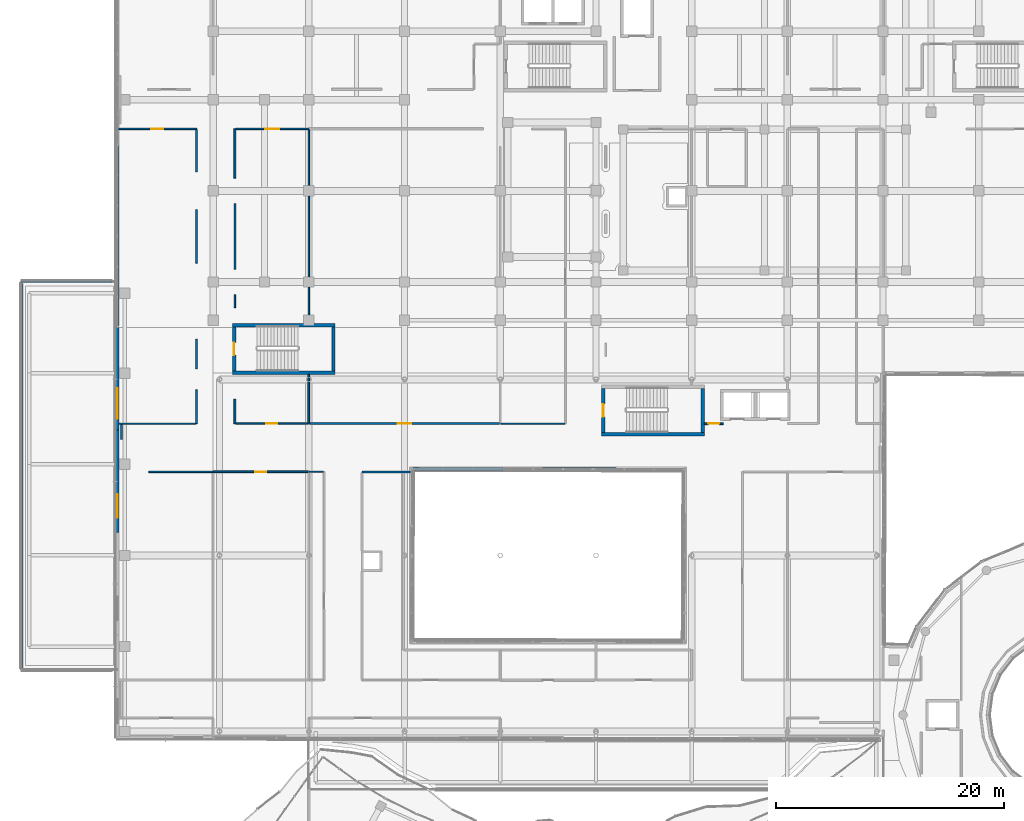
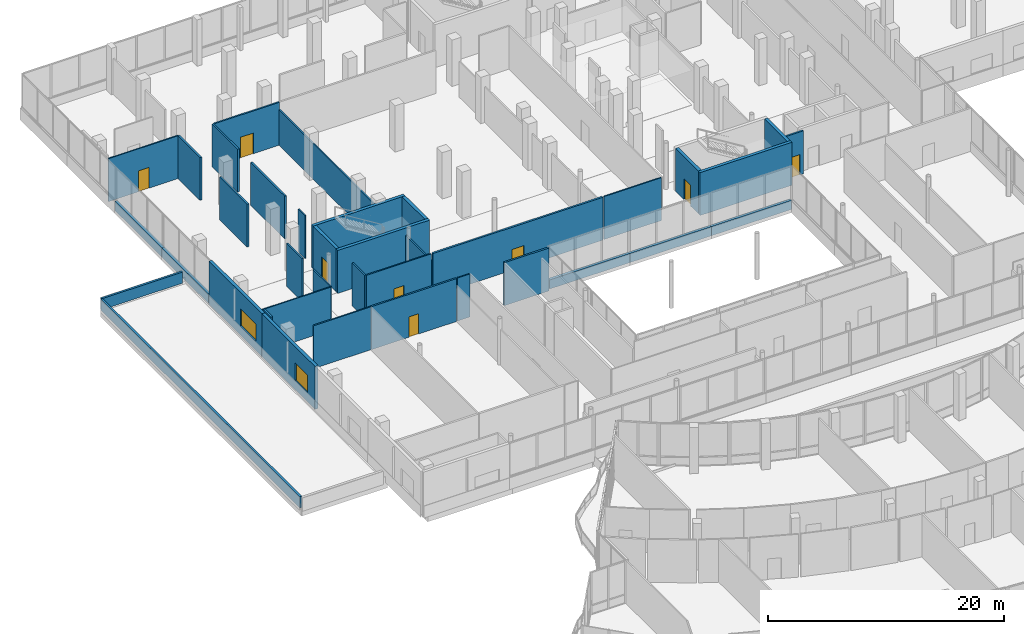
# One storey, part 144 of 168: 38 walls, 8 doors, 2 windows, 10 openings.
"""IFC4 building model written with IfcOpenShell, lengths in metres."""

from ifc_helpers import new_model, si_unit, direction, frame, frame_2d, origin, place, context, subcontext, project, spatial, rectangle, extrude, material, layer, layer_set, type_object, element, fill, save


model = new_model("IFC4")

# Units and contexts
model_context = context("Model", 3, precision=1e-05, world=origin(), true_north=direction((0.0, 1.0)))
body_context = subcontext(model_context, "Body", "Model", "MODEL_VIEW")
ifc_project = project(units=[si_unit("LENGTHUNIT", "METRE"), si_unit("AREAUNIT", "SQUARE_METRE"), si_unit("VOLUMEUNIT", "CUBIC_METRE"), si_unit("PLANEANGLEUNIT", "RADIAN"), si_unit("MASSUNIT", "GRAM", prefix="KILO")], contexts=[model_context])

# Site, building, storey
site_placement = place(None, origin())
site = spatial("IfcSite", under=ifc_project, at=site_placement, CompositionType="ELEMENT")
building_placement = place(site_placement, origin())
building = spatial("IfcBuilding", under=site, at=building_placement, Name="Selatvlak General Hospital", CompositionType="ELEMENT")
storey_placement = place(building_placement, frame((0.0, 0.0, 5.39990234375)))
storey = spatial("IfcBuildingStorey", under=building, at=storey_placement, Name="L01", CompositionType="ELEMENT", Elevation=5.39990234375)

# Wall, opening, window
ifc_material_1 = material(Name="Precast concrete C40/50 - white fair-faced", Category="concrete")
ifc_layer_1 = layer(ifc_material_1, 0.300048828125, Name="Precast concrete C40/50 - white fair-faced", Category="concrete")
ifc_layer_set_1 = layer_set([ifc_layer_1], Name="Precast concrete C40/50 - white fair-faced")
wall_type_1 = type_object("IfcWallType", Name="WALL-EW-01", PredefinedType="SOLIDWALL", material=ifc_layer_set_1)
wall_1_placement = place(storey_placement, frame((14.39990234375, 69.9990234375, 0.0), z_axis=(0.0, 0.0, 1.0), x_axis=(0.0, 1.0, 0.0)))
wall_1 = element("IfcWall", 1, at=wall_1_placement, inside=storey, type_object=wall_type_1, Name="L01 exterior wall 0200", PredefinedType="SOLIDWALL", context=body_context, shape_type="SweptSolid", body=[
    extrude(rectangle(XDim=9.0, YDim=0.300048828125, at=frame_2d((4.5, 0.0))), origin(), (0.0, 0.0, 1.0), 4.445068359375),
])
opening_1_placement = place(wall_1_placement, frame((1.2900390625, 0.0, 0.9599609375)))
opening_1 = element("IfcOpeningElement", 2, at=opening_1_placement, cuts=wall_1, Name="Opening WN-21", PredefinedType="OPENING", context=body_context, shape_type="SweptSolid", body=[
    extrude(rectangle(XDim=2.10009765625, YDim=1.800048828125, at=frame_2d((1.050048828125, 0.89990234375))), frame((0.0, 0.159912109375, 0.0), z_axis=(0.0, -1.0, 0.0), x_axis=(1.0, 0.0, 0.0)), (0.0, 0.0, 1.0), 0.320068359375),
])
ifc_material_2 = material(Name="Thermally broken aluminium Low-E window", Category="aluminium")
window_type_1 = type_object("IfcWindowType", Name="WIN-WN-21", PartitioningType="SINGLE_PANEL", PredefinedType="WINDOW", material=ifc_material_2)
window_1_placement = place(opening_1_placement, origin())
window_1 = element("IfcWindow", 3, at=window_1_placement, inside=storey, type_object=window_type_1, Name="L01 Bauhaus ribbon window 0020", OverallHeight=1.800048828125, OverallWidth=2.10009765625, PartitioningType="SINGLE_PANEL", PredefinedType="WINDOW", context=body_context, shape_type="SweptSolid", body=[
    extrude(rectangle(XDim=2.10009765625, YDim=1.800048828125, at=frame_2d((1.050048828125, 0.89990234375))), frame((0.0, 0.030029296875, 0.0), z_axis=(0.0, -1.0, 0.0), x_axis=(1.0, 0.0, 0.0)), (0.0, 0.0, 1.0), 0.06005859375),
])
fill(opening_1, window_1)

wall_2_placement = place(storey_placement, frame((14.39990234375, 78.9990234375, 0.0), z_axis=(0.0, 0.0, 1.0), x_axis=(0.0, 1.0, 0.0)))
wall_2 = element("IfcWall", 4, at=wall_2_placement, inside=storey, type_object=wall_type_1, Name="L01 exterior wall 0201", PredefinedType="SOLIDWALL", context=body_context, shape_type="SweptSolid", body=[
    extrude(rectangle(XDim=9.0, YDim=0.300048828125, at=frame_2d((4.5, 0.0))), origin(), (0.0, 0.0, 1.0), 4.445068359375),
])
opening_2_placement = place(wall_2_placement, frame((0.989990234375, 0.0, 0.9599609375)))
opening_2 = element("IfcOpeningElement", 5, at=opening_2_placement, cuts=wall_2, Name="Opening WN-23", PredefinedType="OPENING", context=body_context, shape_type="SweptSolid", body=[
    extrude(rectangle(XDim=2.699951171875, YDim=1.800048828125, at=frame_2d((1.35009765625, 0.89990234375))), frame((0.0, 0.159912109375, 0.0), z_axis=(0.0, -1.0, 0.0), x_axis=(1.0, 0.0, 0.0)), (0.0, 0.0, 1.0), 0.320068359375),
])
window_type_2 = type_object("IfcWindowType", Name="WIN-WN-23", PartitioningType="SINGLE_PANEL", PredefinedType="WINDOW", material=ifc_material_2)
window_2_placement = place(opening_2_placement, origin())
window_2 = element("IfcWindow", 6, at=window_2_placement, inside=storey, type_object=window_type_2, Name="L01 Bauhaus ribbon window 0022", OverallHeight=1.800048828125, OverallWidth=2.699951171875, PartitioningType="SINGLE_PANEL", PredefinedType="WINDOW", context=body_context, shape_type="SweptSolid", body=[
    extrude(rectangle(XDim=2.699951171875, YDim=1.800048828125, at=frame_2d((1.35009765625, 0.89990234375))), frame((0.0, 0.030029296875, 0.0), z_axis=(0.0, -1.0, 0.0), x_axis=(1.0, 0.0, 0.0)), (0.0, 0.0, 1.0), 0.06005859375),
])
fill(opening_2, window_2)

# Walls
ifc_material_3 = material(Name="Precast concrete C40/50 - white Bauhaus spandrel", Category="concrete")
ifc_layer_2 = layer(ifc_material_3, 0.280029296875, Name="Precast concrete C40/50 - white Bauhaus spandrel", Category="concrete")
ifc_layer_set_2 = layer_set([ifc_layer_2], Name="Precast concrete C40/50 - white Bauhaus spandrel")
wall_type_2 = type_object("IfcWallType", Name="WALL-EW-02", PredefinedType="SOLIDWALL", material=ifc_layer_set_2)
wall_3_placement = place(storey_placement, frame((14.39990234375, 88.138916015625, 0.0), z_axis=(0.0, 0.0, 1.0), x_axis=(0.0, 1.0, 0.0)))
element("IfcWall", 7, at=wall_3_placement, inside=storey, type_object=wall_type_2, Name="L01 Bauhaus spandrel sill wall 0202", PredefinedType="SOLIDWALL", context=body_context, shape_type="SweptSolid", body=[
    extrude(rectangle(XDim=7.858154296875, YDim=0.280029296875, at=frame_2d((3.92919921875, 0.0))), origin(), (0.0, 0.0, 1.0), 0.940185546875),
])
wall_4_placement = place(storey_placement, frame((14.39990234375, 96.0009765625, 0.0), z_axis=(0.0, 0.0, 1.0), x_axis=(0.0, 1.0, 0.0)))
element("IfcWall", 8, at=wall_4_placement, inside=storey, type_object=wall_type_2, Name="L01 Bauhaus spandrel sill wall 0203", PredefinedType="SOLIDWALL", context=body_context, shape_type="SweptSolid", body=[
    extrude(rectangle(XDim=7.99609375, YDim=0.280029296875, at=frame_2d((3.998046875, 0.0))), origin(), (0.0, 0.0, 1.0), 0.940185546875),
])
wall_5_placement = place(storey_placement, frame((64.06005859375, 75.5400390625, 0.0), z_axis=(0.0, 0.0, 1.0), x_axis=(-0.999996738253, 0.002554110965, 0.0)))
element("IfcWall", 9, at=wall_5_placement, inside=storey, type_object=wall_type_2, Name="L01 Bauhaus spandrel sill wall 0280", PredefinedType="SOLIDWALL", context=body_context, shape_type="SweptSolid", body=[
    extrude(rectangle(XDim=7.838134765625, YDim=0.280029296875, at=frame_2d((3.9189453125, 0.0))), origin(), (0.0, 0.0, 1.0), 0.940185546875),
])
wall_6_placement = place(storey_placement, frame((56.218017578125, 75.56005859375, 0.0), z_axis=(0.0, 0.0, 1.0), x_axis=(-0.999996850095, 0.002509940058, 0.0)))
element("IfcWall", 10, at=wall_6_placement, inside=storey, type_object=wall_type_2, Name="L01 Bauhaus spandrel sill wall 0281", PredefinedType="SOLIDWALL", context=body_context, shape_type="SweptSolid", body=[
    extrude(rectangle(XDim=7.97607421875, YDim=0.280029296875, at=frame_2d((3.988037109375, 0.0))), origin(), (0.0, 0.0, 1.0), 0.940185546875),
])
wall_7_placement = place(storey_placement, frame((48.238037109375, 75.580078125, 0.0), z_axis=(0.0, 0.0, 1.0), x_axis=(-0.999996738253, 0.002554110965, 0.0)))
element("IfcWall", 11, at=wall_7_placement, inside=storey, type_object=wall_type_2, Name="L01 Bauhaus spandrel sill wall 0282", PredefinedType="SOLIDWALL", context=body_context, shape_type="SweptSolid", body=[
    extrude(rectangle(XDim=7.838134765625, YDim=0.280029296875, at=frame_2d((3.9189453125, 0.0))), origin(), (0.0, 0.0, 1.0), 0.940185546875),
])
ifc_layer_3 = layer(ifc_material_1, 0.199951171875, Name="Precast concrete C40/50 - white fair-faced", Category="concrete")
ifc_layer_set_3 = layer_set([ifc_layer_3], Name="Precast concrete C40/50 - white fair-faced")
wall_type_3 = type_object("IfcWallType", Name="WALL-PR-01", PredefinedType="PARAPET", material=ifc_layer_set_3)
wall_8_placement = place(storey_placement, frame((6.0, 91.989990234375, -0.079833984375), z_axis=(0.0, 0.0, 1.0), x_axis=(1.0, 0.0, 0.0)))
element("IfcWall", 12, at=wall_8_placement, inside=storey, type_object=wall_type_3, Name="L01 roof parapet upstand PAR-L01-001", PredefinedType="PARAPET", context=body_context, shape_type="SweptSolid", body=[
    extrude(rectangle(XDim=7.919921875, YDim=0.199951171875, at=frame_2d((3.9599609375, 0.0))), origin(), (0.0, 0.0, 1.0), 1.14990234375),
])
wall_9_placement = place(storey_placement, frame((6.0, 58.117919921875, -0.079833984375), z_axis=(0.0, 0.0, 1.0), x_axis=(0.0, 1.0, 0.0)))
element("IfcWall", 13, at=wall_9_placement, inside=storey, type_object=wall_type_3, Name="L01 roof parapet upstand PAR-L01-003", PredefinedType="PARAPET", context=body_context, shape_type="SweptSolid", body=[
    extrude(rectangle(XDim=33.76416015625, YDim=0.199951171875, at=frame_2d((16.882080078125, 0.0))), origin(), (0.0, 0.0, 1.0), 1.14990234375),
])
ifc_material_4 = material(Name="Acoustic gypsum stud partition")
ifc_layer_4 = layer(ifc_material_4, 0.179931640625, Name="Acoustic gypsum stud partition")
ifc_layer_set_4 = layer_set([ifc_layer_4], Name="Acoustic gypsum stud partition")
wall_type_4 = type_object("IfcWallType", Name="WALL-PT-01", PredefinedType="PARTITIONING", material=ifc_layer_set_4)
wall_10_placement = place(storey_placement, frame((35.860107421875, 75.340087890625, 0.0), z_axis=(0.0, 0.0, 1.0), x_axis=(1.0, 0.0, 0.0)))
element("IfcWall", 14, at=wall_10_placement, inside=storey, type_object=wall_type_4, Name="L01 clinical partition PT-L01-0745", PredefinedType="PARTITIONING", context=body_context, shape_type="SweptSolid", body=[
    extrude(rectangle(XDim=4.35693359375, YDim=0.179931640625, at=frame_2d((2.178466796875, 0.0))), origin(), (0.0, 0.0, 1.0), 4.445068359375),
])
wall_11_placement = place(storey_placement, frame((21.340087890625, 105.384033203125, 0.0), z_axis=(0.0, 0.0, 1.0), x_axis=(0.0, -1.0, 0.0)))
element("IfcWall", 15, at=wall_11_placement, inside=storey, type_object=wall_type_4, Name="L01 clinical partition PT-L01-0915", PredefinedType="PARTITIONING", context=body_context, shape_type="SweptSolid", body=[
    extrude(rectangle(XDim=3.72802734375, YDim=0.179931640625, at=frame_2d((1.864013671875, 0.0))), origin(), (0.0, 0.0, 1.0), 4.445068359375),
])
wall_12_placement = place(storey_placement, frame((14.739990234375, 79.50390625, 0.0), z_axis=(0.0, 0.0, 1.0), x_axis=(0.0, -1.0, 0.0)))
element("IfcWall", 16, at=wall_12_placement, inside=storey, type_object=wall_type_4, Name="L01 clinical partition PT-L01-0920", PredefinedType="PARTITIONING", context=body_context, shape_type="SweptSolid", body=[
    extrude(rectangle(XDim=1.31787109375, YDim=0.179931640625, at=frame_2d((0.658935546875, 0.0))), origin(), (0.0, 0.0, 1.0), 4.445068359375),
])
wall_13_placement = place(storey_placement, frame((24.7099609375, 93.10693359375, 0.0), z_axis=(0.0, 0.0, 1.0), x_axis=(0.0, 1.0, 0.0)))
element("IfcWall", 17, at=wall_13_placement, inside=storey, type_object=wall_type_4, Name="L01 clinical partition PT-L01-0925", PredefinedType="PARTITIONING", context=body_context, shape_type="SweptSolid", body=[
    extrude(rectangle(XDim=5.7861328125, YDim=0.179931640625, at=frame_2d((2.89306640625, 0.0))), origin(), (0.0, 0.0, 1.0), 4.445068359375),
])

# Wall, opening, door
wall_14_placement = place(storey_placement, frame((47.944091796875, 79.56005859375, 0.0), z_axis=(0.0, 0.0, 1.0), x_axis=(-1.0, 0.0, 0.0)))
wall_14 = element("IfcWall", 18, at=wall_14_placement, inside=storey, type_object=wall_type_4, Name="L01 clinical partition PT-L01-0930", PredefinedType="PARTITIONING", context=body_context, shape_type="SweptSolid", body=[
    extrude(rectangle(XDim=16.673095703125, YDim=0.179931640625, at=frame_2d((8.33642578125, 0.0))), origin(), (0.0, 0.0, 1.0), 4.445068359375),
])
opening_3_placement = place(wall_14_placement, frame((7.737060546875, 0.0, 0.0)))
opening_3 = element("IfcOpeningElement", 19, at=opening_3_placement, cuts=wall_14, Name="Opening D-07", PredefinedType="OPENING", context=body_context, shape_type="SweptSolid", body=[
    extrude(rectangle(XDim=1.199951171875, YDim=2.14990234375, at=frame_2d((0.60009765625, 1.074951171875))), frame((0.0, 0.099853515625, 0.0), z_axis=(0.0, -1.0, 0.0), x_axis=(1.0, 0.0, 0.0)), (0.0, 0.0, 1.0), 0.199951171875),
])
ifc_material_5 = material(Name="Plant and store fire door")
door_type_1 = type_object("IfcDoorType", Name="DOOR-D-07", OperationType="NOTDEFINED", PredefinedType="DOOR", material=ifc_material_5)
door_1_placement = place(opening_3_placement, origin())
door_1 = element("IfcDoor", 20, at=door_1_placement, inside=storey, type_object=door_type_1, Name="L01 High Dependency Critical Care Bay 45 door", OperationType="SINGLE_SWING_LEFT", OverallHeight=2.14990234375, OverallWidth=1.199951171875, PredefinedType="DOOR", context=body_context, shape_type="SweptSolid", body=[
    extrude(rectangle(XDim=1.199951171875, YDim=2.14990234375, at=frame_2d((0.60009765625, 1.074951171875))), frame((0.0, 0.02490234375, 0.0), z_axis=(0.0, -1.0, 0.0), x_axis=(1.0, 0.0, 0.0)), (0.0, 0.0, 1.0), 0.050048828125),
])
fill(opening_3, door_1)

ifc_layer_5 = layer(ifc_material_4, 0.1650390625, Name="Acoustic gypsum stud partition")
ifc_layer_set_5 = layer_set([ifc_layer_5], Name="Acoustic gypsum stud partition")
wall_type_5 = type_object("IfcWallType", Name="WALL-PT-02", PredefinedType="PARTITIONING", material=ifc_layer_set_5)
wall_15_placement = place(storey_placement, frame((22.800048828125, 75.340087890625, 0.0), z_axis=(0.0, 0.0, 1.0), x_axis=(1.0, 0.0, 0.0)))
wall_15 = element("IfcWall", 21, at=wall_15_placement, inside=storey, type_object=wall_type_5, Name="L01 clinical partition PT-L01-0726", PredefinedType="PARTITIONING", context=body_context, shape_type="SweptSolid", body=[
    extrude(rectangle(XDim=8.343994140625, YDim=0.1650390625, at=frame_2d((4.171875, 0.0))), origin(), (0.0, 0.0, 1.0), 4.445068359375),
])
opening_4_placement = place(wall_15_placement, frame((3.697021484375, 0.0, 0.0)))
opening_4 = element("IfcOpeningElement", 22, at=opening_4_placement, cuts=wall_15, Name="Opening D-02", PredefinedType="OPENING", context=body_context, shape_type="SweptSolid", body=[
    extrude(rectangle(XDim=0.949951171875, YDim=2.10009765625, at=frame_2d((0.47509765625, 1.050048828125))), frame((0.0, 0.092529296875, 0.0), z_axis=(0.0, -1.0, 0.0), x_axis=(1.0, 0.0, 0.0)), (0.0, 0.0, 1.0), 0.18505859375),
])
ifc_material_6 = material(Name="Moisture-resistant en-suite door")
door_type_2 = type_object("IfcDoorType", Name="DOOR-D-02", OperationType="NOTDEFINED", PredefinedType="DOOR", material=ifc_material_6)
door_2_placement = place(opening_4_placement, origin())
door_2 = element("IfcDoor", 23, at=door_2_placement, inside=storey, type_object=door_type_2, Name="L01 Emergency Observation Inpatient Ward 03 door", OperationType="SINGLE_SWING_RIGHT", OverallHeight=2.10009765625, OverallWidth=0.949951171875, PredefinedType="DOOR", context=body_context, shape_type="SweptSolid", body=[
    extrude(rectangle(XDim=0.949951171875, YDim=2.10009765625, at=frame_2d((0.47509765625, 1.050048828125))), frame((0.0, 0.02490234375, 0.0), z_axis=(0.0, -1.0, 0.0), x_axis=(1.0, 0.0, 0.0)), (0.0, 0.0, 1.0), 0.050048828125),
])
fill(opening_4, door_2)

# Walls
wall_16_placement = place(storey_placement, frame((21.340087890625, 98.343994140625, 0.0), z_axis=(0.0, 0.0, 1.0), x_axis=(0.0, -1.0, 0.0)))
element("IfcWall", 24, at=wall_16_placement, inside=storey, type_object=wall_type_5, Name="L01 clinical partition PT-L01-0916", PredefinedType="PARTITIONING", context=body_context, shape_type="SweptSolid", body=[
    extrude(rectangle(XDim=4.68798828125, YDim=0.1650390625, at=frame_2d((2.343994140625, 0.0))), origin(), (0.0, 0.0, 1.0), 4.445068359375),
])
wall_17_placement = place(storey_placement, frame((24.7099609375, 101.10693359375, 0.0), z_axis=(0.0, 0.0, 1.0), x_axis=(0.0, 1.0, 0.0)))
element("IfcWall", 25, at=wall_17_placement, inside=storey, type_object=wall_type_5, Name="L01 clinical partition PT-L01-0921", PredefinedType="PARTITIONING", context=body_context, shape_type="SweptSolid", body=[
    extrude(rectangle(XDim=4.3330078125, YDim=0.1650390625, at=frame_2d((2.16650390625, 0.0))), origin(), (0.0, 0.0, 1.0), 4.445068359375),
])
wall_18_placement = place(storey_placement, frame((24.7099609375, 79.56005859375, 0.0), z_axis=(0.0, 0.0, 1.0), x_axis=(0.0, 1.0, 0.0)))
element("IfcWall", 26, at=wall_18_placement, inside=storey, type_object=wall_type_5, Name="L01 clinical partition PT-L01-0926", PredefinedType="PARTITIONING", context=body_context, shape_type="SweptSolid", body=[
    extrude(rectangle(XDim=2.14990234375, YDim=0.1650390625, at=frame_2d((1.074951171875, 0.0))), origin(), (0.0, 0.0, 1.0), 4.445068359375),
])

# Wall, opening, door
wall_19_placement = place(storey_placement, frame((67.590087890625, 79.56005859375, 0.0), z_axis=(0.0, 0.0, 1.0), x_axis=(-1.0, 0.0, 0.0)))
wall_19 = element("IfcWall", 27, at=wall_19_placement, inside=storey, type_object=wall_type_5, Name="L01 clinical partition PT-L01-0941", PredefinedType="PARTITIONING", context=body_context, shape_type="SweptSolid", body=[
    extrude(rectangle(XDim=1.68310546875, YDim=0.1650390625, at=frame_2d((0.841552734375, 0.0))), origin(), (0.0, 0.0, 1.0), 4.445068359375),
])
opening_5_placement = place(wall_19_placement, frame((0.366943359375, 0.0, 0.0)))
opening_5 = element("IfcOpeningElement", 28, at=opening_5_placement, cuts=wall_19, Name="Opening D-02", PredefinedType="OPENING", context=body_context, shape_type="SweptSolid", body=[
    extrude(rectangle(XDim=0.949951171875, YDim=2.10009765625, at=frame_2d((0.47509765625, 1.050048828125))), frame((0.0, 0.092529296875, 0.0), z_axis=(0.0, -1.0, 0.0), x_axis=(1.0, 0.0, 0.0)), (0.0, 0.0, 1.0), 0.18505859375),
])
door_3_placement = place(opening_5_placement, origin())
door_3 = element("IfcDoor", 29, at=door_3_placement, inside=storey, type_object=door_type_2, Name="L01 Critical Care Pharmacy Satellite 48 door", OperationType="SINGLE_SWING_RIGHT", OverallHeight=2.10009765625, OverallWidth=0.949951171875, PredefinedType="DOOR", context=body_context, shape_type="SweptSolid", body=[
    extrude(rectangle(XDim=0.949951171875, YDim=2.10009765625, at=frame_2d((0.47509765625, 1.050048828125))), frame((0.0, 0.02490234375, 0.0), z_axis=(0.0, -1.0, 0.0), x_axis=(1.0, 0.0, 0.0)), (0.0, 0.0, 1.0), 0.050048828125),
])
fill(opening_5, door_3)

# Wall
ifc_layer_6 = layer(ifc_material_4, 0.14990234375, Name="Acoustic gypsum stud partition")
ifc_layer_set_6 = layer_set([ifc_layer_6], Name="Acoustic gypsum stud partition")
wall_type_6 = type_object("IfcWallType", Name="WALL-PT-03", PredefinedType="PARTITIONING", material=ifc_layer_set_6)
wall_20_placement = place(storey_placement, frame((21.340087890625, 86.993896484375, 0.0), z_axis=(0.0, 0.0, 1.0), x_axis=(0.0, -1.0, 0.0)))
element("IfcWall", 30, at=wall_20_placement, inside=storey, type_object=wall_type_6, Name="L01 clinical partition PT-L01-0917", PredefinedType="PARTITIONING", context=body_context, shape_type="SweptSolid", body=[
    extrude(rectangle(XDim=2.630859375, YDim=0.14990234375, at=frame_2d((1.3154296875, 0.0))), origin(), (0.0, 0.0, 1.0), 4.445068359375),
])

# Wall, opening, door
wall_21_placement = place(storey_placement, frame((24.7880859375, 105.43994140625, 0.0), z_axis=(0.0, 0.0, 1.0), x_axis=(1.0, 0.0, 0.0)))
wall_21 = element("IfcWall", 31, at=wall_21_placement, inside=storey, type_object=wall_type_6, Name="L01 clinical partition PT-L01-0922", PredefinedType="PARTITIONING", context=body_context, shape_type="SweptSolid", body=[
    extrude(rectangle(XDim=6.411865234375, YDim=0.14990234375, at=frame_2d((3.2060546875, 0.0))), origin(), (0.0, 0.0, 1.0), 4.445068359375),
])
opening_6_placement = place(wall_21_placement, frame((2.5810546875, 0.0, 0.0)))
opening_6 = element("IfcOpeningElement", 32, at=opening_6_placement, cuts=wall_21, Name="Opening D-08", PredefinedType="OPENING", context=body_context, shape_type="SweptSolid", body=[
    extrude(rectangle(XDim=1.25, YDim=2.14990234375, at=frame_2d((0.625, 1.074951171875))), frame((0.0, 0.0849609375, 0.0), z_axis=(0.0, -1.0, 0.0), x_axis=(1.0, 0.0, 0.0)), (0.0, 0.0, 1.0), 0.169921875),
])
ifc_material_7 = material(Name="Diagnostic treatment door")
door_type_3 = type_object("IfcDoorType", Name="DOOR-D-08", OperationType="NOTDEFINED", PredefinedType="DOOR", material=ifc_material_7)
door_4_placement = place(opening_6_placement, origin())
door_4 = element("IfcDoor", 33, at=door_4_placement, inside=storey, type_object=door_type_3, Name="L01 Adult Intensive Care Unit Bay 43 door", OperationType="SINGLE_SWING_LEFT", OverallHeight=2.14990234375, OverallWidth=1.25, PredefinedType="DOOR", context=body_context, shape_type="SweptSolid", body=[
    extrude(rectangle(XDim=1.25, YDim=2.14990234375, at=frame_2d((0.625, 1.074951171875))), frame((0.0, 0.02490234375, 0.0), z_axis=(0.0, -1.0, 0.0), x_axis=(1.0, 0.0, 0.0)), (0.0, 0.0, 1.0), 0.050048828125),
])
fill(opening_6, door_4)

# Walls
wall_22_placement = place(storey_placement, frame((31.199951171875, 83.89306640625, 0.0), z_axis=(0.0, 0.0, 1.0), x_axis=(0.0, -1.0, 0.0)))
element("IfcWall", 34, at=wall_22_placement, inside=storey, type_object=wall_type_6, Name="L01 clinical partition PT-L01-0927", PredefinedType="PARTITIONING", context=body_context, shape_type="SweptSolid", body=[
    extrude(rectangle(XDim=4.3330078125, YDim=0.14990234375, at=frame_2d((2.16650390625, 0.0))), origin(), (0.0, 0.0, 1.0), 3.695068359375),
])
ifc_material_8 = material(Name="Moisture-resistant clinical partition")
ifc_layer_7 = layer(ifc_material_8, 0.135009765625, Name="Moisture-resistant clinical partition")
ifc_layer_set_7 = layer_set([ifc_layer_7], Name="Moisture-resistant clinical partition")
wall_type_7 = type_object("IfcWallType", Name="WALL-PT-04", PredefinedType="PARTITIONING", material=ifc_layer_set_7)
wall_23_placement = place(storey_placement, frame((17.157958984375, 75.340087890625, 0.0), z_axis=(0.0, 0.0, 1.0), x_axis=(1.0, 0.0, 0.0)))
element("IfcWall", 35, at=wall_23_placement, inside=storey, type_object=wall_type_7, Name="L01 clinical partition PT-L01-0708", PredefinedType="PARTITIONING", context=body_context, shape_type="SweptSolid", body=[
    extrude(rectangle(XDim=5.64208984375, YDim=0.135009765625, at=frame_2d((2.821044921875, 0.0))), origin(), (0.0, 0.0, 1.0), 4.445068359375),
])
wall_24_placement = place(storey_placement, frame((21.340087890625, 82.537109375, 0.0), z_axis=(0.0, 0.0, 1.0), x_axis=(0.0, -1.0, 0.0)))
element("IfcWall", 36, at=wall_24_placement, inside=storey, type_object=wall_type_7, Name="L01 clinical partition PT-L01-0918", PredefinedType="PARTITIONING", context=body_context, shape_type="SweptSolid", body=[
    extrude(rectangle(XDim=2.97705078125, YDim=0.135009765625, at=frame_2d((1.488525390625, 0.0))), origin(), (0.0, 0.0, 1.0), 4.445068359375),
])
wall_25_placement = place(storey_placement, frame((31.199951171875, 105.368896484375, 0.0), z_axis=(0.0, 0.0, 1.0), x_axis=(0.0, -1.0, 0.0)))
element("IfcWall", 37, at=wall_25_placement, inside=storey, type_object=wall_type_7, Name="L01 clinical partition PT-L01-0923", PredefinedType="PARTITIONING", context=body_context, shape_type="SweptSolid", body=[
    extrude(rectangle(XDim=17.02197265625, YDim=0.135009765625, at=frame_2d((8.510986328125, 0.0))), origin(), (0.0, 0.0, 1.0), 3.695068359375),
])

# Wall, opening, door
wall_26_placement = place(storey_placement, frame((31.12890625, 79.56005859375, 0.0), z_axis=(0.0, 0.0, 1.0), x_axis=(-1.0, 0.0, 0.0)))
wall_26 = element("IfcWall", 38, at=wall_26_placement, inside=storey, type_object=wall_type_7, Name="L01 clinical partition PT-L01-0928", PredefinedType="PARTITIONING", context=body_context, shape_type="SweptSolid", body=[
    extrude(rectangle(XDim=6.3408203125, YDim=0.135009765625, at=frame_2d((3.17041015625, 0.0))), origin(), (0.0, 0.0, 1.0), 4.445068359375),
])
opening_7_placement = place(wall_26_placement, frame((2.696044921875, 0.0, 0.0)))
opening_7 = element("IfcOpeningElement", 39, at=opening_7_placement, cuts=wall_26, Name="Opening D-02", PredefinedType="OPENING", context=body_context, shape_type="SweptSolid", body=[
    extrude(rectangle(XDim=0.949951171875, YDim=2.10009765625, at=frame_2d((0.47509765625, 1.050048828125))), frame((0.0, 0.077392578125, 0.0), z_axis=(0.0, -1.0, 0.0), x_axis=(1.0, 0.0, 0.0)), (0.0, 0.0, 1.0), 0.155029296875),
])
door_5_placement = place(opening_7_placement, origin())
door_5 = element("IfcDoor", 40, at=door_5_placement, inside=storey, type_object=door_type_2, Name="L01 Emergency Observation Inpatient Ward 44 door", OperationType="SINGLE_SWING_RIGHT", OverallHeight=2.10009765625, OverallWidth=0.949951171875, PredefinedType="DOOR", context=body_context, shape_type="SweptSolid", body=[
    extrude(rectangle(XDim=0.949951171875, YDim=2.10009765625, at=frame_2d((0.47509765625, 1.050048828125))), frame((0.0, 0.02490234375, 0.0), z_axis=(0.0, -1.0, 0.0), x_axis=(1.0, 0.0, 0.0)), (0.0, 0.0, 1.0), 0.050048828125),
])
fill(opening_7, door_5)

# Wall
ifc_layer_8 = layer(ifc_material_8, 0.1201171875, Name="Moisture-resistant clinical partition")
ifc_layer_set_8 = layer_set([ifc_layer_8], Name="Moisture-resistant clinical partition")
wall_type_8 = type_object("IfcWallType", Name="WALL-PT-05", PredefinedType="PARTITIONING", material=ifc_layer_set_8)
wall_27_placement = place(storey_placement, frame((31.256103515625, 75.340087890625, 0.0), z_axis=(0.0, 0.0, 1.0), x_axis=(1.0, 0.0, 0.0)))
element("IfcWall", 41, at=wall_27_placement, inside=storey, type_object=wall_type_8, Name="L01 clinical partition PT-L01-0744", PredefinedType="PARTITIONING", context=body_context, shape_type="SweptSolid", body=[
    extrude(rectangle(XDim=1.212890625, YDim=0.1201171875, at=frame_2d((0.6064453125, 0.0))), origin(), (0.0, 0.0, 1.0), 4.445068359375),
])

# Wall, opening, door
wall_28_placement = place(storey_placement, frame((14.44189453125, 105.43994140625, 0.0), z_axis=(0.0, 0.0, 1.0), x_axis=(1.0, 0.0, 0.0)))
wall_28 = element("IfcWall", 42, at=wall_28_placement, inside=storey, type_object=wall_type_8, Name="L01 clinical partition PT-L01-0914", PredefinedType="PARTITIONING", context=body_context, shape_type="SweptSolid", body=[
    extrude(rectangle(XDim=6.898193359375, YDim=0.1201171875, at=frame_2d((3.44921875, 0.0))), origin(), (0.0, 0.0, 1.0), 4.445068359375),
])
opening_8_placement = place(wall_28_placement, frame((2.924072265625, 0.0, 0.0)))
opening_8 = element("IfcOpeningElement", 43, at=opening_8_placement, cuts=wall_28, Name="Opening D-04", PredefinedType="OPENING", context=body_context, shape_type="SweptSolid", body=[
    extrude(rectangle(XDim=1.050048828125, YDim=2.14990234375, at=frame_2d((0.52490234375, 1.074951171875))), frame((0.0, 0.070068359375, 0.0), z_axis=(0.0, -1.0, 0.0), x_axis=(1.0, 0.0, 0.0)), (0.0, 0.0, 1.0), 0.14013671875),
])
ifc_material_9 = material(Name="Consultation room door")
door_type_4 = type_object("IfcDoorType", Name="DOOR-D-04", OperationType="NOTDEFINED", PredefinedType="DOOR", material=ifc_material_9)
door_6_placement = place(opening_8_placement, origin())
door_6 = element("IfcDoor", 44, at=door_6_placement, inside=storey, type_object=door_type_4, Name="L01 Outpatient Specialist Waiting Concourse 42 door", OperationType="SINGLE_SWING_RIGHT", OverallHeight=2.14990234375, OverallWidth=1.050048828125, PredefinedType="DOOR", context=body_context, shape_type="SweptSolid", body=[
    extrude(rectangle(XDim=1.050048828125, YDim=2.14990234375, at=frame_2d((0.52490234375, 1.074951171875))), frame((0.0, 0.02490234375, 0.0), z_axis=(0.0, -1.0, 0.0), x_axis=(1.0, 0.0, 0.0)), (0.0, 0.0, 1.0), 0.050048828125),
])
fill(opening_8, door_6)

# Walls
wall_29_placement = place(storey_placement, frame((21.27587890625, 79.56005859375, 0.0), z_axis=(0.0, 0.0, 1.0), x_axis=(-1.0, 0.0, 0.0)))
element("IfcWall", 45, at=wall_29_placement, inside=storey, type_object=wall_type_8, Name="L01 clinical partition PT-L01-0919", PredefinedType="PARTITIONING", context=body_context, shape_type="SweptSolid", body=[
    extrude(rectangle(XDim=6.728759765625, YDim=0.1201171875, at=frame_2d((3.3642578125, 0.0))), origin(), (0.0, 0.0, 1.0), 4.445068359375),
])
wall_30_placement = place(storey_placement, frame((24.7099609375, 89.757080078125, 0.0), z_axis=(0.0, 0.0, 1.0), x_axis=(0.0, 1.0, 0.0)))
element("IfcWall", 46, at=wall_30_placement, inside=storey, type_object=wall_type_8, Name="L01 clinical partition PT-L01-0924", PredefinedType="PARTITIONING", context=body_context, shape_type="SweptSolid", body=[
    extrude(rectangle(XDim=1.135986328125, YDim=0.1201171875, at=frame_2d((0.56787109375, 0.0))), origin(), (0.0, 0.0, 1.0), 4.445068359375),
])
wall_31_placement = place(storey_placement, frame((53.677001953125, 79.56005859375, 0.0), z_axis=(0.0, 0.0, 1.0), x_axis=(-1.0, 0.0, 0.0)))
element("IfcWall", 47, at=wall_31_placement, inside=storey, type_object=wall_type_8, Name="L01 clinical partition PT-L01-0934", PredefinedType="PARTITIONING", context=body_context, shape_type="SweptSolid", body=[
    extrude(rectangle(XDim=5.62109375, YDim=0.1201171875, at=frame_2d((2.810546875, 0.0))), origin(), (0.0, 0.0, 1.0), 4.445068359375),
])
ifc_material_10 = material(Name="Concrete C45/55", Category="concrete")
ifc_layer_9 = layer(ifc_material_10, 0.300048828125, Name="Concrete C45/55", Category="concrete")
ifc_layer_set_9 = layer_set([ifc_layer_9], Name="Concrete C45/55")
wall_type_9 = type_object("IfcWallType", Name="WALL-SW-02", PredefinedType="SHEAR", material=ifc_layer_set_9)
wall_32_placement = place(storey_placement, frame((56.889892578125, 78.639892578125, 0.0), z_axis=(0.0, 0.0, 1.0), x_axis=(1.0, 0.0, 0.0)))
element("IfcWall", 48, at=wall_32_placement, inside=storey, type_object=wall_type_9, Name="ST-05 core shear wall L01 S", PredefinedType="SHEAR", context=body_context, shape_type="SweptSolid", body=[
    extrude(rectangle(XDim=9.02001953125, YDim=0.300048828125, at=frame_2d((4.510009765625, 0.0))), origin(), (0.0, 0.0, 1.0), 4.445068359375),
])
wall_33_placement = place(storey_placement, frame((65.760009765625, 78.7900390625, 0.0), z_axis=(0.0, 0.0, 1.0), x_axis=(0.0, 1.0, 0.0)))
element("IfcWall", 49, at=wall_33_placement, inside=storey, type_object=wall_type_9, Name="ST-05 core shear wall L01 E", PredefinedType="SHEAR", context=body_context, shape_type="SweptSolid", body=[
    extrude(rectangle(XDim=3.85986328125, YDim=0.300048828125, at=frame_2d((1.929931640625, 0.0))), origin(), (0.0, 0.0, 1.0), 4.445068359375),
])

# Wall, opening, door
wall_34_placement = place(storey_placement, frame((57.0400390625, 82.64990234375, 0.0), z_axis=(0.0, 0.0, 1.0), x_axis=(0.0, -1.0, 0.0)))
wall_34 = element("IfcWall", 50, at=wall_34_placement, inside=storey, type_object=wall_type_9, Name="ST-05 core shear wall L01 W", PredefinedType="SHEAR", context=body_context, shape_type="SweptSolid", body=[
    extrude(rectangle(XDim=3.85986328125, YDim=0.300048828125, at=frame_2d((1.929931640625, 0.0))), origin(), (0.0, 0.0, 1.0), 4.445068359375),
])
opening_9_placement = place(wall_34_placement, frame((1.3798828125, 0.0, 0.0)))
opening_9 = element("IfcOpeningElement", 51, at=opening_9_placement, cuts=wall_34, Name="Opening D-05", PredefinedType="OPENING", context=body_context, shape_type="SweptSolid", body=[
    extrude(rectangle(XDim=1.10009765625, YDim=2.14990234375, at=frame_2d((0.550048828125, 1.074951171875))), frame((0.0, 0.159912109375, 0.0), z_axis=(0.0, -1.0, 0.0), x_axis=(1.0, 0.0, 0.0)), (0.0, 0.0, 1.0), 0.320068359375),
])
ifc_material_11 = material(Name="Protected stair fire door")
door_type_5 = type_object("IfcDoorType", Name="DOOR-D-05", OperationType="NOTDEFINED", PredefinedType="DOOR", material=ifc_material_11)
door_7_placement = place(opening_9_placement, origin())
door_7 = element("IfcDoor", 52, at=door_7_placement, inside=storey, type_object=door_type_5, Name="ST-05 protected stair door on L01", OperationType="SINGLE_SWING_LEFT", OverallHeight=2.14990234375, OverallWidth=1.10009765625, PredefinedType="DOOR", context=body_context, shape_type="SweptSolid", body=[
    extrude(rectangle(XDim=1.10009765625, YDim=2.14990234375, at=frame_2d((0.550048828125, 1.074951171875))), frame((0.0, 0.02490234375, 0.0), z_axis=(0.0, -1.0, 0.0), x_axis=(1.0, 0.0, 0.0)), (0.0, 0.0, 1.0), 0.050048828125),
])
fill(opening_9, door_7)

# Walls
wall_35_placement = place(storey_placement, frame((24.489990234375, 84.0400390625, 0.0), z_axis=(0.0, 0.0, 1.0), x_axis=(1.0, 0.0, 0.0)))
element("IfcWall", 53, at=wall_35_placement, inside=storey, type_object=wall_type_9, Name="ST-07 core shear wall L01 S", PredefinedType="SHEAR", context=body_context, shape_type="SweptSolid", body=[
    extrude(rectangle(XDim=9.02001953125, YDim=0.300048828125, at=frame_2d((4.510009765625, 0.0))), origin(), (0.0, 0.0, 1.0), 4.445068359375),
])
wall_36_placement = place(storey_placement, frame((33.360107421875, 84.18994140625, 0.0), z_axis=(0.0, 0.0, 1.0), x_axis=(0.0, 1.0, 0.0)))
element("IfcWall", 54, at=wall_36_placement, inside=storey, type_object=wall_type_9, Name="ST-07 core shear wall L01 E", PredefinedType="SHEAR", context=body_context, shape_type="SweptSolid", body=[
    extrude(rectangle(XDim=3.860107421875, YDim=0.300048828125, at=frame_2d((1.93017578125, 0.0))), origin(), (0.0, 0.0, 1.0), 4.445068359375),
])
wall_37_placement = place(storey_placement, frame((33.510009765625, 88.199951171875, 0.0), z_axis=(0.0, 0.0, 1.0), x_axis=(-1.0, 0.0, 0.0)))
element("IfcWall", 55, at=wall_37_placement, inside=storey, type_object=wall_type_9, Name="ST-07 core shear wall L01 N", PredefinedType="SHEAR", context=body_context, shape_type="SweptSolid", body=[
    extrude(rectangle(XDim=9.02001953125, YDim=0.300048828125, at=frame_2d((4.510009765625, 0.0))), origin(), (0.0, 0.0, 1.0), 4.445068359375),
])

# Wall, opening, door
wall_38_placement = place(storey_placement, frame((24.639892578125, 88.050048828125, 0.0), z_axis=(0.0, 0.0, 1.0), x_axis=(0.0, -1.0, 0.0)))
wall_38 = element("IfcWall", 56, at=wall_38_placement, inside=storey, type_object=wall_type_9, Name="ST-07 core shear wall L01 W", PredefinedType="SHEAR", context=body_context, shape_type="SweptSolid", body=[
    extrude(rectangle(XDim=3.860107421875, YDim=0.300048828125, at=frame_2d((1.93017578125, 0.0))), origin(), (0.0, 0.0, 1.0), 4.445068359375),
])
opening_10_placement = place(wall_38_placement, frame((1.3798828125, 0.0, 0.0)))
opening_10 = element("IfcOpeningElement", 57, at=opening_10_placement, cuts=wall_38, Name="Opening D-05", PredefinedType="OPENING", context=body_context, shape_type="SweptSolid", body=[
    extrude(rectangle(XDim=1.10009765625, YDim=2.14990234375, at=frame_2d((0.550048828125, 1.074951171875))), frame((0.0, 0.159912109375, 0.0), z_axis=(0.0, -1.0, 0.0), x_axis=(1.0, 0.0, 0.0)), (0.0, 0.0, 1.0), 0.320068359375),
])
door_8_placement = place(opening_10_placement, origin())
door_8 = element("IfcDoor", 58, at=door_8_placement, inside=storey, type_object=door_type_5, Name="ST-07 protected stair door on L01", OperationType="SINGLE_SWING_RIGHT", OverallHeight=2.14990234375, OverallWidth=1.10009765625, PredefinedType="DOOR", context=body_context, shape_type="SweptSolid", body=[
    extrude(rectangle(XDim=1.10009765625, YDim=2.14990234375, at=frame_2d((0.550048828125, 1.074951171875))), frame((0.0, 0.02490234375, 0.0), z_axis=(0.0, -1.0, 0.0), x_axis=(1.0, 0.0, 0.0)), (0.0, 0.0, 1.0), 0.050048828125),
])
fill(opening_10, door_8)

save(model, "model.ifc")
